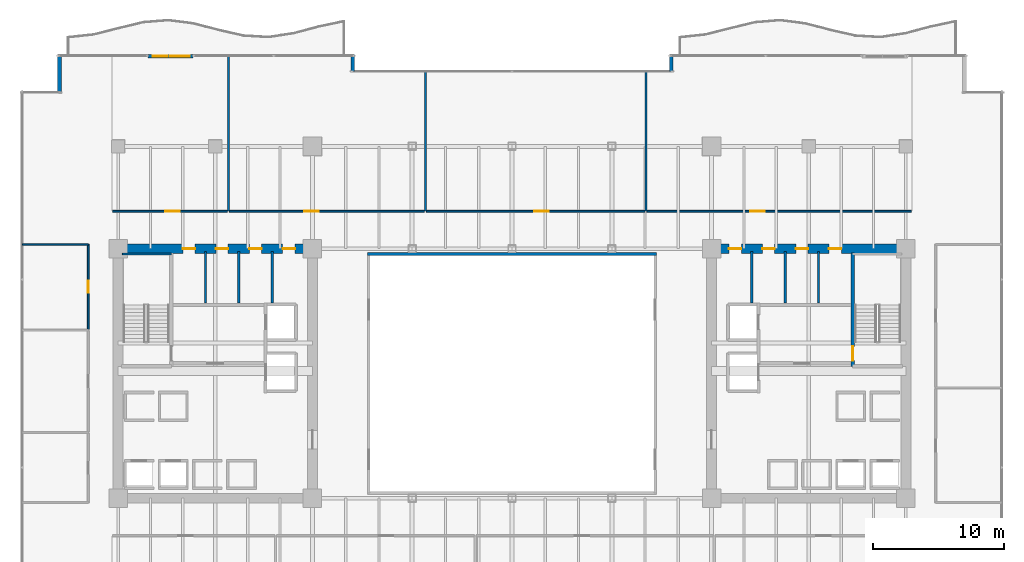
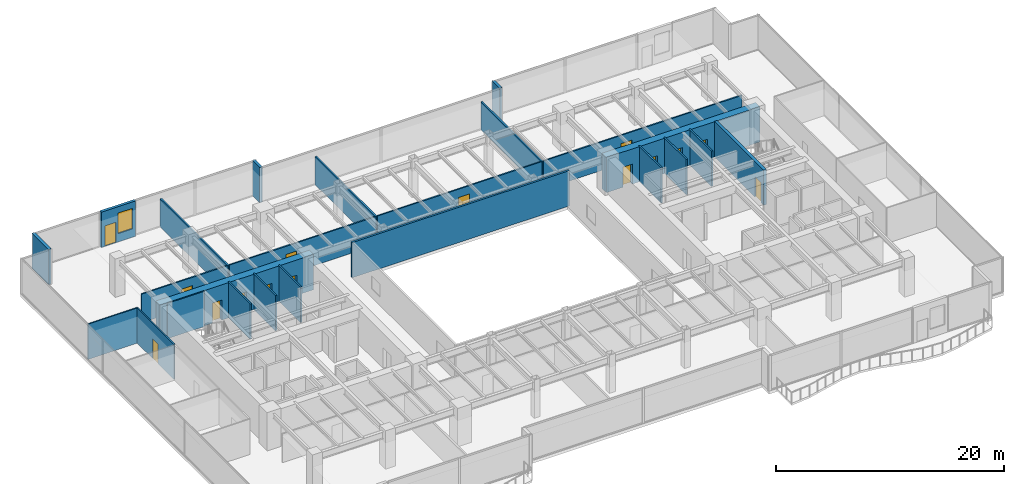
# One storey, part 26 of 32: 24 walls, 15 doors, 1 window, 16 openings.
"""IFC4 building model written with IfcOpenShell, lengths in metres."""

from ifc_helpers import new_model, si_unit, direction, frame, frame_2d, origin, place, context, subcontext, project, spatial, rectangle, extrude, source, transform, mapped, material, layer, layer_set, type_object, type_shapes, element, fill, save


model = new_model("IFC4")

# Units and contexts
model_context = context("Model", 3, precision=1e-05, world=origin(), true_north=direction((0.0, 1.0)))
body_context = subcontext(model_context, "Body", "Model", "MODEL_VIEW")
ifc_project = project(units=[si_unit("LENGTHUNIT", "METRE"), si_unit("AREAUNIT", "SQUARE_METRE"), si_unit("VOLUMEUNIT", "CUBIC_METRE"), si_unit("PLANEANGLEUNIT", "RADIAN"), si_unit("MASSUNIT", "GRAM", prefix="KILO")], contexts=[model_context])

# Site, building, storey
site_placement = place(None, origin())
site = spatial("IfcSite", under=ifc_project, at=site_placement, CompositionType="ELEMENT")
building_placement = place(site_placement, origin())
building = spatial("IfcBuilding", under=site, at=building_placement, Name="Haelvirn Gate Laboratories", CompositionType="ELEMENT")
storey_placement = place(building_placement, frame((0.0, 0.0, 33.39990234375)))
storey = spatial("IfcBuildingStorey", under=building, at=storey_placement, Name="L08", CompositionType="ELEMENT", Elevation=33.39990234375)

# Wall, openings, door, window
ifc_material_1 = material(Name="Thermally-broken bronze aluminium rainscreen & mineral wool", Category="aluminium")
ifc_layer_1 = layer(ifc_material_1, 0.280029296875, Name="EW-TERR-280")
ifc_layer_set_1 = layer_set([ifc_layer_1], Name="Thermally-broken bronze aluminium rainscreen & mineral wool")
wall_type_1 = type_object("IfcWallType", Name="EW-TERR-280", PredefinedType="STANDARD", material=ifc_layer_set_1)
wall_1_placement = place(storey_placement, frame((9.662109375, 48.4599609375, 0.0), z_axis=(0.0, 0.0, 1.0), x_axis=(1.0, 0.0, 0.0)))
wall_1 = element("IfcWall", 1, at=wall_1_placement, inside=storey, type_object=wall_type_1, Name="L08 Terrace Access Wall WB-WL-N", PredefinedType="STANDARD", context=body_context, shape_type="SweptSolid", body=[
    extrude(rectangle(XDim=3.4609375, YDim=0.280029296875, at=frame_2d((1.73046875, 0.0))), origin(), (0.0, 0.0, 1.0), 3.780029296875),
])
opening_1_placement = place(wall_1_placement, frame((0.3779296875, 0.0, 0.0)))
opening_1 = element("IfcOpeningElement", 2, at=opening_1_placement, cuts=wall_1, Name="Opening TD1", PredefinedType="OPENING", context=body_context, shape_type="SweptSolid", body=[
    extrude(rectangle(XDim=1.10009765625, YDim=2.199951171875, at=frame_2d((0.550048828125, 1.10009765625))), frame((0.0, 0.14990234375, 0.0), z_axis=(0.0, -1.0, 0.0), x_axis=(1.0, 0.0, 0.0)), (0.0, 0.0, 1.0), 0.300048828125),
])
opening_2_placement = place(wall_1_placement, frame((1.677978515625, 0.0, 0.89990234375)))
opening_2 = element("IfcOpeningElement", 3, at=opening_2_placement, cuts=wall_1, Name="Opening W3", PredefinedType="OPENING", context=body_context, shape_type="SweptSolid", body=[
    extrude(rectangle(XDim=1.5, YDim=2.199951171875, at=frame_2d((0.75, 1.10009765625))), frame((0.0, 0.14990234375, 0.0), z_axis=(0.0, -1.0, 0.0), x_axis=(1.0, 0.0, 0.0)), (0.0, 0.0, 1.0), 0.300048828125),
])
ifc_material_2 = material(Name="Thermally-broken bronze aluminium glazed terrace door", Category="aluminium")
door_type_1 = type_object("IfcDoorType", Name="DR-TERR-1100", OperationType="NOTDEFINED", PredefinedType="DOOR", material=ifc_material_2)
shared_shape_1 = source(origin(), body_context, "Body", "SweptSolid", [
    extrude(rectangle(XDim=1.10009765625, YDim=2.199951171875, at=frame_2d((0.550048828125, 1.10009765625))), frame((0.0, 0.02490234375, 0.0), z_axis=(0.0, -1.0, 0.0), x_axis=(1.0, 0.0, 0.0)), (0.0, 0.0, 1.0), 0.050048828125),
])
type_shapes(door_type_1, [shared_shape_1])
door_1_placement = place(opening_1_placement, origin())
door_1 = element("IfcDoor", 4, at=door_1_placement, inside=storey, type_object=door_type_1, Name="L08 Terrace Access Door WB-WL-N", OperationType="SINGLE_SWING_RIGHT", OverallHeight=2.199951171875, OverallWidth=1.10009765625, PredefinedType="DOOR", context=body_context, shape_type="MappedRepresentation", body=[
    mapped(shared_shape_1, transform((0.0, 0.0, 0.0), scale=1.0)),
])
fill(opening_1, door_1)
ifc_material_3 = material(Name="Bronze anodised aluminium & triple low-E glass", Category="aluminium")
window_type = type_object("IfcWindowType", Name="WIN-TERR-1600", PartitioningType="SINGLE_PANEL", PredefinedType="WINDOW", material=ifc_material_3)
shared_shape_2 = source(origin(), body_context, "Body", "SweptSolid", [
    extrude(rectangle(XDim=1.5, YDim=2.199951171875, at=frame_2d((0.75, 1.10009765625))), frame((0.0, 0.030029296875, 0.0), z_axis=(0.0, -1.0, 0.0), x_axis=(1.0, 0.0, 0.0)), (0.0, 0.0, 1.0), 0.06005859375),
])
type_shapes(window_type, [shared_shape_2])
window_placement = place(opening_2_placement, origin())
window = element("IfcWindow", 5, at=window_placement, inside=storey, type_object=window_type, Name="L08 Terrace Vision Window WB-WL-N", OverallHeight=2.199951171875, OverallWidth=1.5, PartitioningType="SINGLE_PANEL", PredefinedType="WINDOW", context=body_context, shape_type="MappedRepresentation", body=[
    mapped(shared_shape_2, transform((0.0, 0.0, 0.0), scale=1.0)),
])
fill(opening_2, window)

# Walls
for number, where, z_axis, x_axis, name in (
    (6, (49.5400390625, 48.60009765625, 0.0), (0.0, 0.0, 1.0), (0.0, -1.0, 0.0), "L08 Atrium Recess Bronze Return Wall 11"),
    (7, (25.260009765625, 47.31201171875, 0.0), (0.0, 0.0, 1.0), (0.0, 1.0, 0.0), "L08 Atrium Recess Bronze Return Wall 13"),
):
    element("IfcWall", number, at=place(storey_placement, frame(where, z_axis=z_axis, x_axis=x_axis)), inside=storey, type_object=wall_type_1, Name=name, PredefinedType="STANDARD", context=body_context, shape_type="SweptSolid", body=[
        extrude(rectangle(XDim=1.2880859375, YDim=0.280029296875, at=frame_2d((0.64404296875, 0.0))), origin(), (0.0, 0.0, 1.0), 3.780029296875),
    ])
wall_2_placement = place(storey_placement, frame((2.93994140625, 48.60009765625, 0.0), z_axis=(0.0, 0.0, 1.0), x_axis=(0.0, -1.0, 0.0)))
element("IfcWall", 8, at=wall_2_placement, inside=storey, type_object=wall_type_1, Name="L08 Atrium Recess Bronze Return Wall 15", PredefinedType="STANDARD", context=body_context, shape_type="SweptSolid", body=[
    extrude(rectangle(XDim=2.88818359375, YDim=0.280029296875, at=frame_2d((1.444091796875, 0.0))), origin(), (0.0, 0.0, 1.0), 3.780029296875),
])
ifc_material_4 = material(Name="Double-layer acoustic gypsum laboratory partition", Category="gypsum")
ifc_layer_2 = layer(ifc_material_4, 0.159912109375, Name="IW-ACOUST-160")
ifc_layer_set_2 = layer_set([ifc_layer_2], Name="Double-layer acoustic gypsum laboratory partition")
wall_type_2 = type_object("IfcWallType", Name="IW-ACOUST-160", PredefinedType="PARTITIONING", material=ifc_layer_set_2)
wall_3_placement = place(storey_placement, frame((15.800048828125, 36.659912109375, 0.0), z_axis=(0.0, 0.0, 1.0), x_axis=(0.0, 1.0, 0.0)))
element("IfcWall", 9, at=wall_3_placement, inside=storey, type_object=wall_type_2, Name="L08 Interior Wall IW-L08-NDIV-01", PredefinedType="PARTITIONING", context=body_context, shape_type="SweptSolid", body=[
    extrude(rectangle(XDim=11.830078125, YDim=0.159912109375, at=frame_2d((5.9150390625, 0.0))), origin(), (0.0, 0.0, 1.0), 3.01513671875),
])
for number, where, z_axis, x_axis, name in (
    (10, (30.800048828125, 36.659912109375, 0.0), (0.0, 0.0, 1.0), (0.0, 1.0, 0.0), "L08 Interior Wall IW-L08-NDIV-02"),
    (11, (47.60009765625, 36.659912109375, 0.0), (0.0, 0.0, 1.0), (0.0, 1.0, 0.0), "L08 Interior Wall IW-L08-NDIV-03"),
):
    element("IfcWall", number, at=place(storey_placement, frame(where, z_axis=z_axis, x_axis=x_axis)), inside=storey, type_object=wall_type_2, Name=name, PredefinedType="PARTITIONING", context=body_context, shape_type="SweptSolid", body=[
        extrude(rectangle(XDim=10.630126953125, YDim=0.159912109375, at=frame_2d((5.31494140625, 0.0))), origin(), (0.0, 0.0, 1.0), 3.01513671875),
    ])
ifc_material_5 = material(Name="Tempered fire-rated borosilicate glass & anodised aluminium", Category="aluminium")
ifc_layer_3 = layer(ifc_material_5, 0.195068359375, Name="IW-GLAZ-200")
ifc_layer_set_3 = layer_set([ifc_layer_3], Name="Tempered fire-rated borosilicate glass & anodised aluminium")
wall_type_3 = type_object("IfcWallType", Name="IW-GLAZ-200", PredefinedType="SOLIDWALL", material=ifc_layer_set_3)
wall_4_placement = place(storey_placement, frame((26.39990234375, 33.39990234375, 0.0), z_axis=(0.0, 0.0, 1.0), x_axis=(1.0, 0.0, 0.0)))
element("IfcWall", 12, at=wall_4_placement, inside=storey, type_object=wall_type_3, Name="L08 Interior Wall IW-L08-ATRIUM-N", PredefinedType="SOLIDWALL", context=body_context, shape_type="SweptSolid", body=[
    extrude(rectangle(XDim=22.0, YDim=0.195068359375, at=frame_2d((11.0, 0.0))), origin(), (0.0, 0.0, 1.0), 3.780029296875),
])
ifc_material_6 = material(Name="Lightweight acoustic gypsum board partition", Category="gypsum")
ifc_layer_4 = layer(ifc_material_6, 0.1201171875, Name="IW-PART-120")
ifc_layer_set_4 = layer_set([ifc_layer_4], Name="Lightweight acoustic gypsum board partition")
wall_type_4 = type_object("IfcWallType", Name="IW-PART-120", PredefinedType="PARTITIONING", material=ifc_layer_set_4)
wall_5_placement = place(storey_placement, frame((0.110107421875, 34.135009765625, 0.0), z_axis=(0.0, 0.0, 1.0), x_axis=(1.0, 0.0, 0.0)))
element("IfcWall", 13, at=wall_5_placement, inside=storey, type_object=wall_type_4, Name="L08 Interior Wall IW-L08-WCAP-N", PredefinedType="PARTITIONING", context=body_context, shape_type="SweptSolid", body=[
    extrude(rectangle(XDim=5.019775390625, YDim=0.1201171875, at=frame_2d((2.509765625, 0.0))), origin(), (0.0, 0.0, 1.0), 3.780029296875),
])

# Wall, opening, door
wall_6_placement = place(storey_placement, frame((5.1298828125, 27.659912109375, 0.0), z_axis=(0.0, 0.0, 1.0), x_axis=(0.0, 1.0, 0.0)))
wall_6 = element("IfcWall", 14, at=wall_6_placement, inside=storey, type_object=wall_type_4, Name="L08 Interior Wall IW-L08-WPASS-03", PredefinedType="PARTITIONING", context=body_context, shape_type="SweptSolid", body=[
    extrude(rectangle(XDim=6.47509765625, YDim=0.1201171875, at=frame_2d((3.237548828125, 0.0))), origin(), (0.0, 0.0, 1.0), 3.780029296875),
])
opening_3_placement = place(wall_6_placement, frame((2.78759765625, 0.0, 0.0)))
opening_3 = element("IfcOpeningElement", 15, at=opening_3_placement, cuts=wall_6, Name="Opening D4", PredefinedType="OPENING", context=body_context, shape_type="SweptSolid", body=[
    extrude(rectangle(XDim=0.89990234375, YDim=2.10009765625, at=frame_2d((0.449951171875, 1.050048828125))), frame((0.0, 0.070068359375, 0.0), z_axis=(0.0, -1.0, 0.0), x_axis=(1.0, 0.0, 0.0)), (0.0, 0.0, 1.0), 0.14013671875),
])
ifc_material_7 = material(Name="Glazed aluminium-framed write-up door", Category="aluminium")
door_type_2 = type_object("IfcDoorType", Name="DR-OFF-900", OperationType="NOTDEFINED", PredefinedType="DOOR", material=ifc_material_7)
shared_shape_3 = source(origin(), body_context, "Body", "SweptSolid", [
    extrude(rectangle(XDim=0.89990234375, YDim=2.10009765625, at=frame_2d((0.449951171875, 1.050048828125))), frame((0.0, 0.02490234375, 0.0), z_axis=(0.0, -1.0, 0.0), x_axis=(1.0, 0.0, 0.0)), (0.0, 0.0, 1.0), 0.050048828125),
])
type_shapes(door_type_2, [shared_shape_3])
door_2_placement = place(opening_3_placement, origin())
door_2 = element("IfcDoor", 16, at=door_2_placement, inside=storey, type_object=door_type_2, Name="L08 Proteomics Mass-Spec Laboratory Door W3", OperationType="SINGLE_SWING_LEFT", OverallHeight=2.10009765625, OverallWidth=0.89990234375, PredefinedType="DOOR", context=body_context, shape_type="MappedRepresentation", body=[
    mapped(shared_shape_3, transform((0.0, 0.0, 0.0), scale=1.0)),
])
fill(opening_3, door_2)

ifc_material_8 = material(Name="Acoustic mineral-wool gypsum board partition", Category="gypsum")
ifc_layer_5 = layer(ifc_material_8, 0.139892578125, Name="IW-PART-140")
ifc_layer_set_5 = layer_set([ifc_layer_5], Name="Acoustic mineral-wool gypsum board partition")
wall_type_5 = type_object("IfcWallType", Name="IW-PART-140", PredefinedType="PARTITIONING", material=ifc_layer_set_5)
wall_7_placement = place(storey_placement, frame((6.97998046875, 36.659912109375, 0.0), z_axis=(0.0, 0.0, 1.0), x_axis=(1.0, 0.0, 0.0)))
wall_7 = element("IfcWall", 17, at=wall_7_placement, inside=storey, type_object=wall_type_5, Name="L08 Interior Wall IW-L08-NCORR-01", PredefinedType="PARTITIONING", context=body_context, shape_type="SweptSolid", body=[
    extrude(rectangle(XDim=8.739990234375, YDim=0.139892578125, at=frame_2d((4.3701171875, 0.0))), origin(), (0.0, 0.0, 1.0), 3.065185546875),
])
opening_4_placement = place(wall_7_placement, frame((4.0283203125, 0.0, 0.0)))
opening_4 = element("IfcOpeningElement", 18, at=opening_4_placement, cuts=wall_7, Name="Opening D1", PredefinedType="OPENING", context=body_context, shape_type="SweptSolid", body=[
    extrude(rectangle(XDim=1.10009765625, YDim=2.179931640625, at=frame_2d((0.550048828125, 1.08984375))), frame((0.0, 0.080078125, 0.0), z_axis=(0.0, -1.0, 0.0), x_axis=(1.0, 0.0, 0.0)), (0.0, 0.0, 1.0), 0.159912109375),
])
ifc_material_9 = material(Name="Vision-panel acoustic solid-core timber lab door", Category="wood")
door_type_3 = type_object("IfcDoorType", Name="DR-LAB-1100", OperationType="NOTDEFINED", PredefinedType="DOOR", material=ifc_material_9)
shared_shape_4 = source(origin(), body_context, "Body", "SweptSolid", [
    extrude(rectangle(XDim=1.10009765625, YDim=2.179931640625, at=frame_2d((0.550048828125, 1.08984375))), frame((0.0, 0.02490234375, 0.0), z_axis=(0.0, -1.0, 0.0), x_axis=(1.0, 0.0, 0.0)), (0.0, 0.0, 1.0), 0.050048828125),
])
type_shapes(door_type_3, [shared_shape_4])
door_3_placement = place(opening_4_placement, origin())
door_3 = element("IfcDoor", 19, at=door_3_placement, inside=storey, type_object=door_type_3, Name="L08 Peer-Review Seminar Room Door N1", OperationType="SINGLE_SWING_RIGHT", OverallHeight=2.179931640625, OverallWidth=1.10009765625, PredefinedType="DOOR", context=body_context, shape_type="MappedRepresentation", body=[
    mapped(shared_shape_4, transform((0.0, 0.0, 0.0), scale=1.0)),
])
fill(opening_4, door_3)

wall_8_placement = place(storey_placement, frame((15.8798828125, 36.659912109375, 0.0), z_axis=(0.0, 0.0, 1.0), x_axis=(1.0, 0.0, 0.0)))
wall_8 = element("IfcWall", 20, at=wall_8_placement, inside=storey, type_object=wall_type_5, Name="L08 Interior Wall IW-L08-NCORR-02", PredefinedType="PARTITIONING", context=body_context, shape_type="SweptSolid", body=[
    extrude(rectangle(XDim=14.840087890625, YDim=0.139892578125, at=frame_2d((7.419921875, 0.0))), origin(), (0.0, 0.0, 1.0), 3.065185546875),
])
opening_5_placement = place(wall_8_placement, frame((5.6962890625, 0.0, 0.0)))
opening_5 = element("IfcOpeningElement", 21, at=opening_5_placement, cuts=wall_8, Name="Opening D1", PredefinedType="OPENING", context=body_context, shape_type="SweptSolid", body=[
    extrude(rectangle(XDim=1.10009765625, YDim=2.179931640625, at=frame_2d((0.550048828125, 1.08984375))), frame((0.0, 0.080078125, 0.0), z_axis=(0.0, -1.0, 0.0), x_axis=(1.0, 0.0, 0.0)), (0.0, 0.0, 1.0), 0.159912109375),
])
door_4_placement = place(opening_5_placement, origin())
door_4 = element("IfcDoor", 22, at=door_4_placement, inside=storey, type_object=door_type_3, Name="L08 Colloquium Conference Room Door N2", OperationType="SINGLE_SWING_LEFT", OverallHeight=2.179931640625, OverallWidth=1.10009765625, PredefinedType="DOOR", context=body_context, shape_type="MappedRepresentation", body=[
    mapped(shared_shape_4, transform((0.0, 0.0, 0.0), scale=1.0)),
])
fill(opening_5, door_4)

wall_9_placement = place(storey_placement, frame((30.8798828125, 36.659912109375, 0.0), z_axis=(0.0, 0.0, 1.0), x_axis=(1.0, 0.0, 0.0)))
wall_9 = element("IfcWall", 23, at=wall_9_placement, inside=storey, type_object=wall_type_5, Name="L08 Interior Wall IW-L08-NCORR-03", PredefinedType="PARTITIONING", context=body_context, shape_type="SweptSolid", body=[
    extrude(rectangle(XDim=16.64013671875, YDim=0.139892578125, at=frame_2d((8.320068359375, 0.0))), origin(), (0.0, 0.0, 1.0), 3.065185546875),
])
opening_6_placement = place(wall_9_placement, frame((8.215087890625, 0.0, 0.0)))
opening_6 = element("IfcOpeningElement", 24, at=opening_6_placement, cuts=wall_9, Name="Opening D1", PredefinedType="OPENING", context=body_context, shape_type="SweptSolid", body=[
    extrude(rectangle(XDim=1.10009765625, YDim=2.179931640625, at=frame_2d((0.550048828125, 1.08984375))), frame((0.0, 0.080078125, 0.0), z_axis=(0.0, -1.0, 0.0), x_axis=(1.0, 0.0, 0.0)), (0.0, 0.0, 1.0), 0.159912109375),
])
door_5_placement = place(opening_6_placement, origin())
door_5 = element("IfcDoor", 25, at=door_5_placement, inside=storey, type_object=door_type_3, Name="L08 Proteomics Mass-Spec Laboratory Door N3", OperationType="SINGLE_SWING_RIGHT", OverallHeight=2.179931640625, OverallWidth=1.10009765625, PredefinedType="DOOR", context=body_context, shape_type="MappedRepresentation", body=[
    mapped(shared_shape_4, transform((0.0, 0.0, 0.0), scale=1.0)),
])
fill(opening_6, door_5)

wall_10_placement = place(storey_placement, frame((47.679931640625, 36.659912109375, 0.0), z_axis=(0.0, 0.0, 1.0), x_axis=(1.0, 0.0, 0.0)))
wall_10 = element("IfcWall", 26, at=wall_10_placement, inside=storey, type_object=wall_type_5, Name="L08 Interior Wall IW-L08-NCORR-04", PredefinedType="PARTITIONING", context=body_context, shape_type="SweptSolid", body=[
    extrude(rectangle(XDim=20.14013671875, YDim=0.139892578125, at=frame_2d((10.070068359375, 0.0))), origin(), (0.0, 0.0, 1.0), 3.065185546875),
])
opening_7_placement = place(wall_10_placement, frame((7.869384765625, 0.0, 0.0)))
opening_7 = element("IfcOpeningElement", 27, at=opening_7_placement, cuts=wall_10, Name="Opening D1", PredefinedType="OPENING", context=body_context, shape_type="SweptSolid", body=[
    extrude(rectangle(XDim=1.10009765625, YDim=2.179931640625, at=frame_2d((0.550048828125, 1.08984375))), frame((0.0, 0.080078125, 0.0), z_axis=(0.0, -1.0, 0.0), x_axis=(1.0, 0.0, 0.0)), (0.0, 0.0, 1.0), 0.159912109375),
])
door_6_placement = place(opening_7_placement, origin())
door_6 = element("IfcDoor", 28, at=door_6_placement, inside=storey, type_object=door_type_3, Name="L08 Chemical Synthesis Laboratory Door N4", OperationType="SINGLE_SWING_LEFT", OverallHeight=2.179931640625, OverallWidth=1.10009765625, PredefinedType="DOOR", context=body_context, shape_type="MappedRepresentation", body=[
    mapped(shared_shape_4, transform((0.0, 0.0, 0.0), scale=1.0)),
])
fill(opening_7, door_6)

# Walls
ifc_material_10 = material(Name="Cement-board restroom plumbing chase wall", Category="gypsum")
ifc_layer_6 = layer(ifc_material_10, 0.155029296875, Name="IW-PLUMB-160")
ifc_layer_set_6 = layer_set([ifc_layer_6], Name="Cement-board restroom plumbing chase wall")
wall_type_6 = type_object("IfcWallType", Name="IW-PLUMB-160", PredefinedType="PLUMBINGWALL", material=ifc_layer_set_6)
for number, where, z_axis, x_axis, name in (
    (29, (14.0400390625, 29.64990234375, 0.0), (0.0, 0.0, 1.0), (0.0, 1.0, 0.0), "L08 Interior Wall IW-L08-W-CDIV-1"),
    (30, (16.590087890625, 29.64990234375, 0.0), (0.0, 0.0, 1.0), (0.0, 1.0, 0.0), "L08 Interior Wall IW-L08-W-CDIV-2"),
    (31, (19.139892578125, 29.64990234375, 0.0), (0.0, 0.0, 1.0), (0.0, 1.0, 0.0), "L08 Interior Wall IW-L08-W-CDIV-3"),
    (32, (60.760009765625, 29.64990234375, 0.0), (0.0, 0.0, 1.0), (0.0, 1.0, 0.0), "L08 Interior Wall IW-L08-E-CDIV-1"),
    (33, (58.2099609375, 29.64990234375, 0.0), (0.0, 0.0, 1.0), (0.0, 1.0, 0.0), "L08 Interior Wall IW-L08-E-CDIV-2"),
    (34, (55.659912109375, 29.64990234375, 0.0), (0.0, 0.0, 1.0), (0.0, 1.0, 0.0), "L08 Interior Wall IW-L08-E-CDIV-3"),
):
    element("IfcWall", number, at=place(storey_placement, frame(where, z_axis=z_axis, x_axis=x_axis)), inside=storey, type_object=wall_type_6, Name=name, PredefinedType="PLUMBINGWALL", context=body_context, shape_type="SweptSolid", body=[
        extrude(rectangle(XDim=3.93017578125, YDim=0.155029296875, at=frame_2d((1.965087890625, 0.0))), origin(), (0.0, 0.0, 1.0), 3.780029296875),
    ])

# Wall, openings, doors
ifc_material_11 = material(Name="Concrete C70/85", Category="concrete")
ifc_layer_7 = layer(ifc_material_11, 0.75, Name="SW-CORE-750")
ifc_layer_set_7 = layer_set([ifc_layer_7], Name="Concrete C70/85")
wall_type_7 = type_object("IfcWallType", Name="SW-CORE-750", PredefinedType="SHEAR", material=ifc_layer_set_7)
wall_11_placement = place(storey_placement, frame((7.02490234375, 33.800048828125, 0.0), z_axis=(0.0, 0.0, 1.0), x_axis=(1.0, 0.0, 0.0)))
wall_11 = element("IfcWall", 35, at=wall_11_placement, inside=storey, type_object=wall_type_7, Name="L08 W Core Shear Wall N", PredefinedType="SHEAR", context=body_context, shape_type="SweptSolid", body=[
    extrude(rectangle(XDim=15.550048828125, YDim=0.75, at=frame_2d((7.77490234375, 0.0))), origin(), (0.0, 0.0, 1.0), 3.780029296875),
])
opening_8_placement = place(wall_11_placement, frame((5.300048828125, 0.0, 0.0)))
opening_8 = element("IfcOpeningElement", 36, at=opening_8_placement, cuts=wall_11, Name="Opening FD4", PredefinedType="OPENING", context=body_context, shape_type="SweptSolid", body=[
    extrude(rectangle(XDim=0.949951171875, YDim=2.14990234375, at=frame_2d((0.47509765625, 1.074951171875))), frame((0.0, 0.385009765625, 0.0), z_axis=(0.0, -1.0, 0.0), x_axis=(1.0, 0.0, 0.0)), (0.0, 0.0, 1.0), 0.77001953125),
])
opening_9_placement = place(wall_11_placement, frame((7.81494140625, 0.0, 0.0)))
opening_9 = element("IfcOpeningElement", 37, at=opening_9_placement, cuts=wall_11, Name="Opening FD4", PredefinedType="OPENING", context=body_context, shape_type="SweptSolid", body=[
    extrude(rectangle(XDim=0.949951171875, YDim=2.14990234375, at=frame_2d((0.47509765625, 1.074951171875))), frame((0.0, 0.385009765625, 0.0), z_axis=(0.0, -1.0, 0.0), x_axis=(1.0, 0.0, 0.0)), (0.0, 0.0, 1.0), 0.77001953125),
])
opening_10_placement = place(wall_11_placement, frame((10.364990234375, 0.0, 0.0)))
opening_10 = element("IfcOpeningElement", 38, at=opening_10_placement, cuts=wall_11, Name="Opening FD4", PredefinedType="OPENING", context=body_context, shape_type="SweptSolid", body=[
    extrude(rectangle(XDim=0.949951171875, YDim=2.14990234375, at=frame_2d((0.47509765625, 1.074951171875))), frame((0.0, 0.385009765625, 0.0), z_axis=(0.0, -1.0, 0.0), x_axis=(1.0, 0.0, 0.0)), (0.0, 0.0, 1.0), 0.77001953125),
])
opening_11_placement = place(wall_11_placement, frame((12.9150390625, 0.0, 0.0)))
opening_11 = element("IfcOpeningElement", 39, at=opening_11_placement, cuts=wall_11, Name="Opening FD4", PredefinedType="OPENING", context=body_context, shape_type="SweptSolid", body=[
    extrude(rectangle(XDim=0.949951171875, YDim=2.14990234375, at=frame_2d((0.47509765625, 1.074951171875))), frame((0.0, 0.385009765625, 0.0), z_axis=(0.0, -1.0, 0.0), x_axis=(1.0, 0.0, 0.0)), (0.0, 0.0, 1.0), 0.77001953125),
])
ifc_material_12 = material(Name="Fire-rated steel SM355 core service door", Category="steel")
door_type_4 = type_object("IfcDoorType", Name="DR-FD-950", OperationType="NOTDEFINED", PredefinedType="DOOR", material=ifc_material_12)
shared_shape_5 = source(origin(), body_context, "Body", "SweptSolid", [
    extrude(rectangle(XDim=0.949951171875, YDim=2.14990234375, at=frame_2d((0.47509765625, 1.074951171875))), frame((0.0, 0.02490234375, 0.0), z_axis=(0.0, -1.0, 0.0), x_axis=(1.0, 0.0, 0.0)), (0.0, 0.0, 1.0), 0.050048828125),
])
type_shapes(door_type_4, [shared_shape_5])
door_7_placement = place(opening_8_placement, origin())
door_7 = element("IfcDoor", 40, at=door_7_placement, inside=storey, type_object=door_type_4, Name="L08 Male Restroom Fire Door", OperationType="SINGLE_SWING_LEFT", OverallHeight=2.14990234375, OverallWidth=0.949951171875, PredefinedType="DOOR", context=body_context, shape_type="MappedRepresentation", body=[
    mapped(shared_shape_5, transform((0.0, 0.0, 0.0), scale=1.0)),
])
fill(opening_8, door_7)
door_8_placement = place(opening_9_placement, origin())
door_8 = element("IfcDoor", 41, at=door_8_placement, inside=storey, type_object=door_type_4, Name="L08 Female Restroom Fire Door", OperationType="SINGLE_SWING_RIGHT", OverallHeight=2.14990234375, OverallWidth=0.949951171875, PredefinedType="DOOR", context=body_context, shape_type="MappedRepresentation", body=[
    mapped(shared_shape_5, transform((0.0, 0.0, 0.0), scale=1.0)),
])
fill(opening_9, door_8)
door_9_placement = place(opening_10_placement, origin())
door_9 = element("IfcDoor", 42, at=door_9_placement, inside=storey, type_object=door_type_4, Name="L08 Accessible Restroom Fire Door", OperationType="SINGLE_SWING_LEFT", OverallHeight=2.14990234375, OverallWidth=0.949951171875, PredefinedType="DOOR", context=body_context, shape_type="MappedRepresentation", body=[
    mapped(shared_shape_5, transform((0.0, 0.0, 0.0), scale=1.0)),
])
fill(opening_10, door_9)
door_10_placement = place(opening_11_placement, origin())
door_10 = element("IfcDoor", 43, at=door_10_placement, inside=storey, type_object=door_type_4, Name="L08 Decontamination Shower Washroom Fire Door", OperationType="SINGLE_SWING_RIGHT", OverallHeight=2.14990234375, OverallWidth=0.949951171875, PredefinedType="DOOR", context=body_context, shape_type="MappedRepresentation", body=[
    mapped(shared_shape_5, transform((0.0, 0.0, 0.0), scale=1.0)),
])
fill(opening_11, door_10)

wall_12_placement = place(storey_placement, frame((52.22509765625, 33.800048828125, 0.0), z_axis=(0.0, 0.0, 1.0), x_axis=(1.0, 0.0, 0.0)))
wall_12 = element("IfcWall", 44, at=wall_12_placement, inside=storey, type_object=wall_type_7, Name="L08 E Core Shear Wall N", PredefinedType="SHEAR", context=body_context, shape_type="SweptSolid", body=[
    extrude(rectangle(XDim=15.5498046875, YDim=0.75, at=frame_2d((7.77490234375, 0.0))), origin(), (0.0, 0.0, 1.0), 3.780029296875),
])
opening_12_placement = place(wall_12_placement, frame((9.300048828125, 0.0, 0.0)))
opening_12 = element("IfcOpeningElement", 45, at=opening_12_placement, cuts=wall_12, Name="Opening FD4", PredefinedType="OPENING", context=body_context, shape_type="SweptSolid", body=[
    extrude(rectangle(XDim=0.949951171875, YDim=2.14990234375, at=frame_2d((0.47509765625, 1.074951171875))), frame((0.0, 0.385009765625, 0.0), z_axis=(0.0, -1.0, 0.0), x_axis=(1.0, 0.0, 0.0)), (0.0, 0.0, 1.0), 0.77001953125),
])
opening_13_placement = place(wall_12_placement, frame((6.784912109375, 0.0, 0.0)))
opening_13 = element("IfcOpeningElement", 46, at=opening_13_placement, cuts=wall_12, Name="Opening FD4", PredefinedType="OPENING", context=body_context, shape_type="SweptSolid", body=[
    extrude(rectangle(XDim=0.949951171875, YDim=2.14990234375, at=frame_2d((0.47509765625, 1.074951171875))), frame((0.0, 0.385009765625, 0.0), z_axis=(0.0, -1.0, 0.0), x_axis=(1.0, 0.0, 0.0)), (0.0, 0.0, 1.0), 0.77001953125),
])
opening_14_placement = place(wall_12_placement, frame((4.235107421875, 0.0, 0.0)))
opening_14 = element("IfcOpeningElement", 47, at=opening_14_placement, cuts=wall_12, Name="Opening FD4", PredefinedType="OPENING", context=body_context, shape_type="SweptSolid", body=[
    extrude(rectangle(XDim=0.949951171875, YDim=2.14990234375, at=frame_2d((0.47509765625, 1.074951171875))), frame((0.0, 0.385009765625, 0.0), z_axis=(0.0, -1.0, 0.0), x_axis=(1.0, 0.0, 0.0)), (0.0, 0.0, 1.0), 0.77001953125),
])
opening_15_placement = place(wall_12_placement, frame((1.68505859375, 0.0, 0.0)))
opening_15 = element("IfcOpeningElement", 48, at=opening_15_placement, cuts=wall_12, Name="Opening FD4", PredefinedType="OPENING", context=body_context, shape_type="SweptSolid", body=[
    extrude(rectangle(XDim=0.949951171875, YDim=2.14990234375, at=frame_2d((0.47509765625, 1.074951171875))), frame((0.0, 0.385009765625, 0.0), z_axis=(0.0, -1.0, 0.0), x_axis=(1.0, 0.0, 0.0)), (0.0, 0.0, 1.0), 0.77001953125),
])
door_11_placement = place(opening_12_placement, origin())
door_11 = element("IfcDoor", 49, at=door_11_placement, inside=storey, type_object=door_type_4, Name="L08 Male Restroom Fire Door", OperationType="SINGLE_SWING_LEFT", OverallHeight=2.14990234375, OverallWidth=0.949951171875, PredefinedType="DOOR", context=body_context, shape_type="MappedRepresentation", body=[
    mapped(shared_shape_5, transform((0.0, 0.0, 0.0), scale=1.0)),
])
fill(opening_12, door_11)
door_12_placement = place(opening_13_placement, origin())
door_12 = element("IfcDoor", 50, at=door_12_placement, inside=storey, type_object=door_type_4, Name="L08 Female Restroom Fire Door", OperationType="SINGLE_SWING_RIGHT", OverallHeight=2.14990234375, OverallWidth=0.949951171875, PredefinedType="DOOR", context=body_context, shape_type="MappedRepresentation", body=[
    mapped(shared_shape_5, transform((0.0, 0.0, 0.0), scale=1.0)),
])
fill(opening_13, door_12)
door_13_placement = place(opening_14_placement, origin())
door_13 = element("IfcDoor", 51, at=door_13_placement, inside=storey, type_object=door_type_4, Name="L08 Accessible Restroom Fire Door", OperationType="SINGLE_SWING_LEFT", OverallHeight=2.14990234375, OverallWidth=0.949951171875, PredefinedType="DOOR", context=body_context, shape_type="MappedRepresentation", body=[
    mapped(shared_shape_5, transform((0.0, 0.0, 0.0), scale=1.0)),
])
fill(opening_14, door_13)
door_14_placement = place(opening_15_placement, origin())
door_14 = element("IfcDoor", 52, at=door_14_placement, inside=storey, type_object=door_type_4, Name="L08 Decontamination Shower Washroom Fire Door", OperationType="SINGLE_SWING_RIGHT", OverallHeight=2.14990234375, OverallWidth=0.949951171875, PredefinedType="DOOR", context=body_context, shape_type="MappedRepresentation", body=[
    mapped(shared_shape_5, transform((0.0, 0.0, 0.0), scale=1.0)),
])
fill(opening_15, door_14)

# Wall
ifc_material_13 = material(Name="Concrete C50/60", Category="concrete")
ifc_layer_8 = layer(ifc_material_13, 0.1201171875, Name="SW-LINER-120")
ifc_layer_set_8 = layer_set([ifc_layer_8], Name="Concrete C50/60")
wall_type_8 = type_object("IfcWallType", Name="SW-LINER-120", PredefinedType="SOLIDWALL", material=ifc_layer_set_8)
wall_13_placement = place(storey_placement, frame((7.72998046875, 33.39990234375, 0.0), z_axis=(0.0, 0.0, 1.0), x_axis=(1.0, 0.0, 0.0)))
element("IfcWall", 53, at=wall_13_placement, inside=storey, type_object=wall_type_8, Name="L08 W Core Stair Shaft Liner Wall N", PredefinedType="SOLIDWALL", context=body_context, shape_type="SweptSolid", body=[
    extrude(rectangle(XDim=3.719970703125, YDim=0.1201171875, at=frame_2d((1.85986328125, 0.0))), origin(), (0.0, 0.0, 1.0), 3.780029296875),
])

# Wall, opening, door
ifc_layer_9 = layer(ifc_material_13, 0.300048828125, Name="SW-STAIR-300")
ifc_layer_set_9 = layer_set([ifc_layer_9], Name="Concrete C50/60")
wall_type_9 = type_object("IfcWallType", Name="SW-STAIR-300", PredefinedType="SHEAR", material=ifc_layer_set_9)
wall_14_placement = place(storey_placement, frame((63.35009765625, 24.85009765625, 0.0), z_axis=(0.0, 0.0, 1.0), x_axis=(0.0, 1.0, 0.0)))
wall_14 = element("IfcWall", 54, at=wall_14_placement, inside=storey, type_object=wall_type_9, Name="L08 E Core Stair Shaft Structural Wall IN", PredefinedType="SHEAR", context=body_context, shape_type="SweptSolid", body=[
    extrude(rectangle(XDim=8.6298828125, YDim=0.300048828125, at=frame_2d((4.31494140625, 0.0))), origin(), (0.0, 0.0, 1.0), 3.780029296875),
])
opening_16_placement = place(wall_14_placement, frame((0.419921875, 0.0, 0.0)))
opening_16 = element("IfcOpeningElement", 55, at=opening_16_placement, cuts=wall_14, Name="Opening FD3", PredefinedType="OPENING", context=body_context, shape_type="SweptSolid", body=[
    extrude(rectangle(XDim=1.10009765625, YDim=2.14990234375, at=frame_2d((0.550048828125, 1.074951171875))), frame((0.0, 0.16015625, 0.0), z_axis=(0.0, -1.0, 0.0), x_axis=(1.0, 0.0, 0.0)), (0.0, 0.0, 1.0), 0.320068359375),
])
ifc_material_14 = material(Name="Fire-rated steel SM355 escape stair door", Category="steel")
door_type_5 = type_object("IfcDoorType", Name="DR-FD-1100", OperationType="NOTDEFINED", PredefinedType="DOOR", material=ifc_material_14)
shared_shape_6 = source(origin(), body_context, "Body", "SweptSolid", [
    extrude(rectangle(XDim=1.10009765625, YDim=2.14990234375, at=frame_2d((0.550048828125, 1.074951171875))), frame((0.0, 0.02490234375, 0.0), z_axis=(0.0, -1.0, 0.0), x_axis=(1.0, 0.0, 0.0)), (0.0, 0.0, 1.0), 0.050048828125),
])
type_shapes(door_type_5, [shared_shape_6])
door_15_placement = place(opening_16_placement, origin())
door_15 = element("IfcDoor", 56, at=door_15_placement, inside=storey, type_object=door_type_5, Name="L08 Escape Stair ST2 Fire Door", OperationType="SINGLE_SWING_RIGHT", OverallHeight=2.14990234375, OverallWidth=1.10009765625, PredefinedType="DOOR", context=body_context, shape_type="MappedRepresentation", body=[
    mapped(shared_shape_6, transform((0.0, 0.0, 0.0), scale=1.0)),
])
fill(opening_16, door_15)

save(model, "model.ifc")
